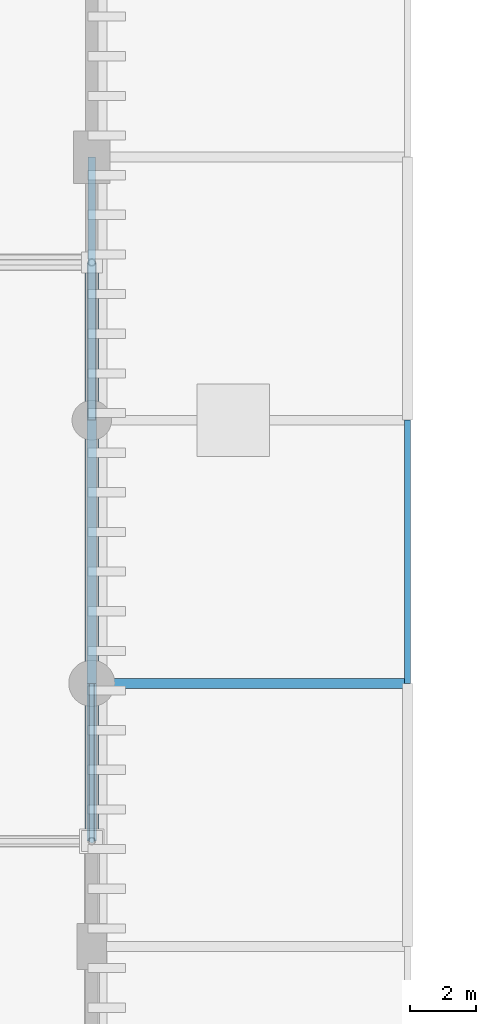
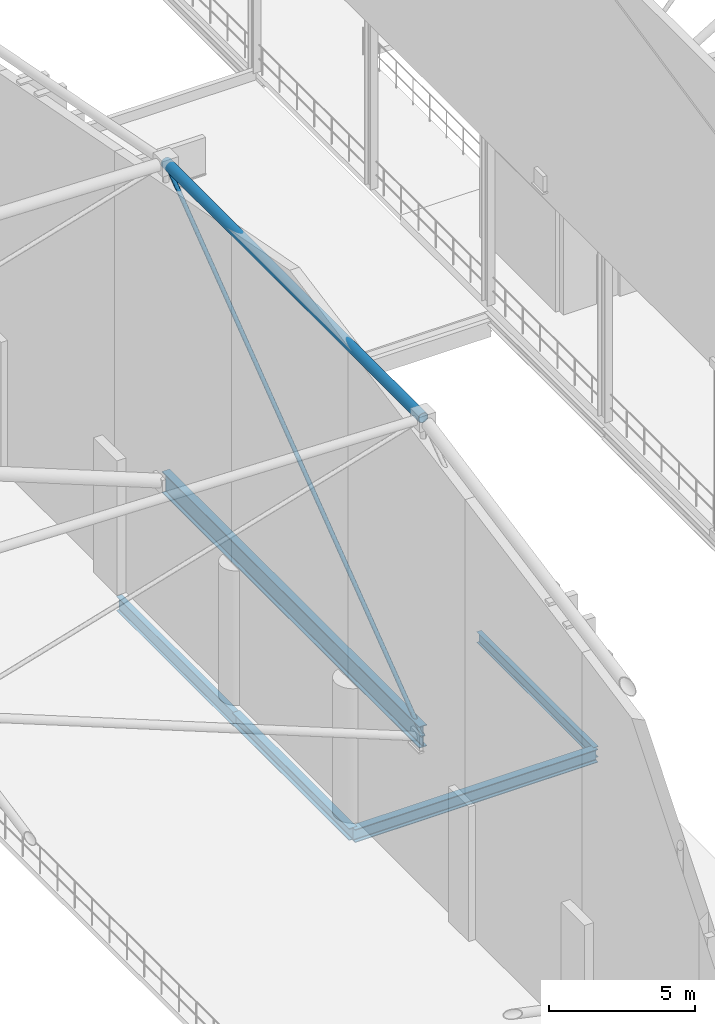
# One storey, part 70 of 193: 5 beams, 2 members.
"""IFC4 building model written with IfcOpenShell, lengths in metres."""

from ifc_helpers import new_model, si_unit, direction, frame, origin, origin_2d, place, context, subcontext, project, spatial, hollow_circle, i_section, extrude, material, material_profile, profile_set, type_object, element, save


model = new_model("IFC4")

# Units and contexts
model_context = context("Model", 3, precision=1e-05, world=origin(), true_north=direction((0.0, 1.0)))
body_context = subcontext(model_context, "Body", "Model", "MODEL_VIEW")
ifc_project = project(units=[si_unit("LENGTHUNIT", "METRE"), si_unit("AREAUNIT", "SQUARE_METRE"), si_unit("VOLUMEUNIT", "CUBIC_METRE"), si_unit("PLANEANGLEUNIT", "RADIAN"), si_unit("MASSUNIT", "GRAM", prefix="KILO")], contexts=[model_context])

# Site, building, storey
site_placement = place(None, origin())
site = spatial("IfcSite", under=ifc_project, at=site_placement, CompositionType="ELEMENT")
building_placement = place(site_placement, origin())
building = spatial("IfcBuilding", under=site, at=building_placement, Name="Danafjord Basin Convention Centre", CompositionType="ELEMENT")
storey_placement = place(building_placement, frame((0.0, 0.0, 11.39990234375)))
storey = spatial("IfcBuildingStorey", under=building, at=storey_placement, Name="L02", CompositionType="ELEMENT", Elevation=11.39990234375)

# Beams
ifc_material = material(Name="Steel S355", Category="steel")
ifc_material_profile_1 = material_profile(ifc_material, i_section(OverallWidth=0.300048828125, OverallDepth=0.5, WebThickness=0.014404296875, FlangeThickness=0.028076171875, FilletRadius=0.027099609375, at=origin_2d()), Name="HEB 500")
ifc_profile_set_1 = profile_set([ifc_material_profile_1], Name="Steel S355")
beam_type_1 = type_object("IfcBeamType", Name="BEAM-BM-HEB500", PredefinedType="BEAM", material=ifc_profile_set_1)
beam_1_placement = place(storey_placement, frame((115.199951171875, 96.0, -0.914794921875), z_axis=(0.0, 1.0, 0.0), x_axis=(-1.0, 0.0, 0.0)))
element("IfcBeam", 1, at=beam_1_placement, inside=storey, type_object=beam_type_1, Name="L02 transverse girder BM-HEB500", PredefinedType="BEAM", context=body_context, shape_type="SweptSolid", body=[
    extrude(i_section(OverallWidth=0.300048828125, OverallDepth=0.5, WebThickness=0.014404296875, FlangeThickness=0.028076171875, FilletRadius=0.027099609375, at=origin_2d()), origin(), (0.0, 0.0, 1.0), 8.0),
])
ifc_material_profile_2 = material_profile(ifc_material, i_section(OverallWidth=0.300048828125, OverallDepth=0.550048828125, WebThickness=0.014892578125, FlangeThickness=0.029052734375, FilletRadius=0.027099609375, at=origin_2d()), Name="HEB 550")
ifc_profile_set_2 = profile_set([ifc_material_profile_2], Name="Steel S355")
beam_type_2 = type_object("IfcBeamType", Name="BEAM-BM-HEB550", PredefinedType="BEAM", material=ifc_profile_set_2)
beam_2_placement = place(storey_placement, frame((115.199951171875, 96.0, -0.93994140625), z_axis=(1.0, 0.0, 0.0), x_axis=(0.0, 1.0, 0.0)))
element("IfcBeam", 2, at=beam_2_placement, inside=storey, type_object=beam_type_2, Name="L02 girder BM-HEB550", PredefinedType="BEAM", context=body_context, shape_type="SweptSolid", body=[
    extrude(i_section(OverallWidth=0.300048828125, OverallDepth=0.550048828125, WebThickness=0.014892578125, FlangeThickness=0.029052734375, FilletRadius=0.027099609375, at=origin_2d()), origin(), (0.0, 0.0, 1.0), 9.60009765625),
])
ifc_material_profile_3 = material_profile(ifc_material, i_section(OverallWidth=0.300048828125, OverallDepth=0.89990234375, WebThickness=0.0185546875, FlangeThickness=0.034912109375, FilletRadius=0.030029296875, at=origin_2d()), Name="HEB 900")
ifc_profile_set_3 = profile_set([ifc_material_profile_3], Name="Steel S355")
beam_type_3 = type_object("IfcBeamType", Name="BEAM-BM-HEB900", PredefinedType="BEAM", material=ifc_profile_set_3)
beam_3_placement = place(storey_placement, frame((115.199951171875, 91.199951171875, 6.050048828125), z_axis=(0.0, 1.0, 0.0), x_axis=(-1.0, 0.0, 0.0)))
element("IfcBeam", 3, at=beam_3_placement, inside=storey, type_object=beam_type_3, Name="V1 space-frame perimeter ring girder", PredefinedType="BEAM", context=body_context, shape_type="SweptSolid", body=[
    extrude(i_section(OverallWidth=0.300048828125, OverallDepth=0.89990234375, WebThickness=0.0185546875, FlangeThickness=0.034912109375, FilletRadius=0.030029296875, at=origin_2d()), origin(), (0.0, 0.0, 1.0), 17.60009765625),
])
ifc_material_profile_4 = material_profile(ifc_material, i_section(OverallWidth=0.219970703125, OverallDepth=0.60009765625, WebThickness=0.011962890625, FlangeThickness=0.01904296875, FilletRadius=0.02392578125, at=origin_2d()), Name="IPE 600")
ifc_profile_set_4 = profile_set([ifc_material_profile_4], Name="Steel S355")
beam_type_4 = type_object("IfcBeamType", Name="BEAM-BM-IPE600", PredefinedType="BEAM", material=ifc_profile_set_4)
beam_4_placement = place(storey_placement, frame((115.199951171875, 104.0, -0.96484375), z_axis=(0.0, 1.0, 0.0), x_axis=(-1.0, 0.0, 0.0)))
element("IfcBeam", 4, at=beam_4_placement, inside=storey, type_object=beam_type_4, Name="L02 transverse girder BM-IPE600", PredefinedType="BEAM", context=body_context, shape_type="SweptSolid", body=[
    extrude(i_section(OverallWidth=0.219970703125, OverallDepth=0.60009765625, WebThickness=0.011962890625, FlangeThickness=0.01904296875, FilletRadius=0.02392578125, at=origin_2d()), origin(), (0.0, 0.0, 1.0), 8.0),
])
ifc_material_profile_5 = material_profile(ifc_material, i_section(OverallWidth=0.18994140625, OverallDepth=0.449951171875, WebThickness=0.009521484375, FlangeThickness=0.0146484375, FilletRadius=0.02099609375, at=origin_2d()), Name="IPE 450")
ifc_profile_set_5 = profile_set([ifc_material_profile_5], Name="Steel S355")
beam_type_5 = type_object("IfcBeamType", Name="BEAM-SP-IPE450", PredefinedType="SPANDREL", material=ifc_profile_set_5)
beam_5_placement = place(storey_placement, frame((124.800048828125, 96.0, -0.889892578125), z_axis=(0.0, 1.0, 0.0), x_axis=(-1.0, 0.0, 0.0)))
element("IfcBeam", 5, at=beam_5_placement, inside=storey, type_object=beam_type_5, Name="L02 transverse girder SP-IPE450", PredefinedType="SPANDREL", context=body_context, shape_type="SweptSolid", body=[
    extrude(i_section(OverallWidth=0.18994140625, OverallDepth=0.449951171875, WebThickness=0.009521484375, FlangeThickness=0.0146484375, FilletRadius=0.02099609375, at=origin_2d()), origin(), (0.0, 0.0, 1.0), 8.0),
])

# Members
ifc_material_profile_6 = material_profile(ifc_material, hollow_circle(Radius=0.203125, WallThickness=0.02001953125, at=origin_2d()), Name="CHS 406.4x20.0")
ifc_profile_set_6 = profile_set([ifc_material_profile_6], Name="Steel S355")
member_type_1 = type_object("IfcMemberType", Name="MEM-CH-CHS406", PredefinedType="CHORD", material=ifc_profile_set_6)
member_1_placement = place(storey_placement, frame((115.199951171875, 91.199951171875, 19.360595703125), z_axis=(0.0, 1.0, 0.0), x_axis=(-1.0, 0.0, 0.0)))
element("IfcMember", 6, at=member_1_placement, inside=storey, type_object=member_type_1, Name="V1 roof truss transverse top chord", PredefinedType="CHORD", context=body_context, shape_type="SweptSolid", body=[
    extrude(hollow_circle(Radius=0.203125, WallThickness=0.02001953125, at=origin_2d()), origin(), (0.0, 0.0, 1.0), 17.60009765625),
])
ifc_material_profile_7 = material_profile(ifc_material, hollow_circle(Radius=0.084228515625, WallThickness=0.008056640625, at=origin_2d()), Name="CHS 168.3x8.0")
ifc_profile_set_7 = profile_set([ifc_material_profile_7], Name="Steel S355")
member_type_2 = type_object("IfcMemberType", Name="MEM-WB-CHS168", PredefinedType="MEMBER", material=ifc_profile_set_7)
member_2_placement = place(storey_placement, frame((115.199951171875, 91.199951171875, 6.050048828125), z_axis=(0.0, 0.797590522722, 0.603199268952), x_axis=(-1.0, 0.0, 0.0)))
element("IfcMember", 7, at=member_2_placement, inside=storey, type_object=member_type_2, Name="V1 space-frame transverse web", PredefinedType="MEMBER", context=body_context, shape_type="SweptSolid", body=[
    extrude(hollow_circle(Radius=0.084228515625, WallThickness=0.008056640625, at=origin_2d()), origin(), (0.0, 0.0, 1.0), 22.066650390625),
])

save(model, "model.ifc")
